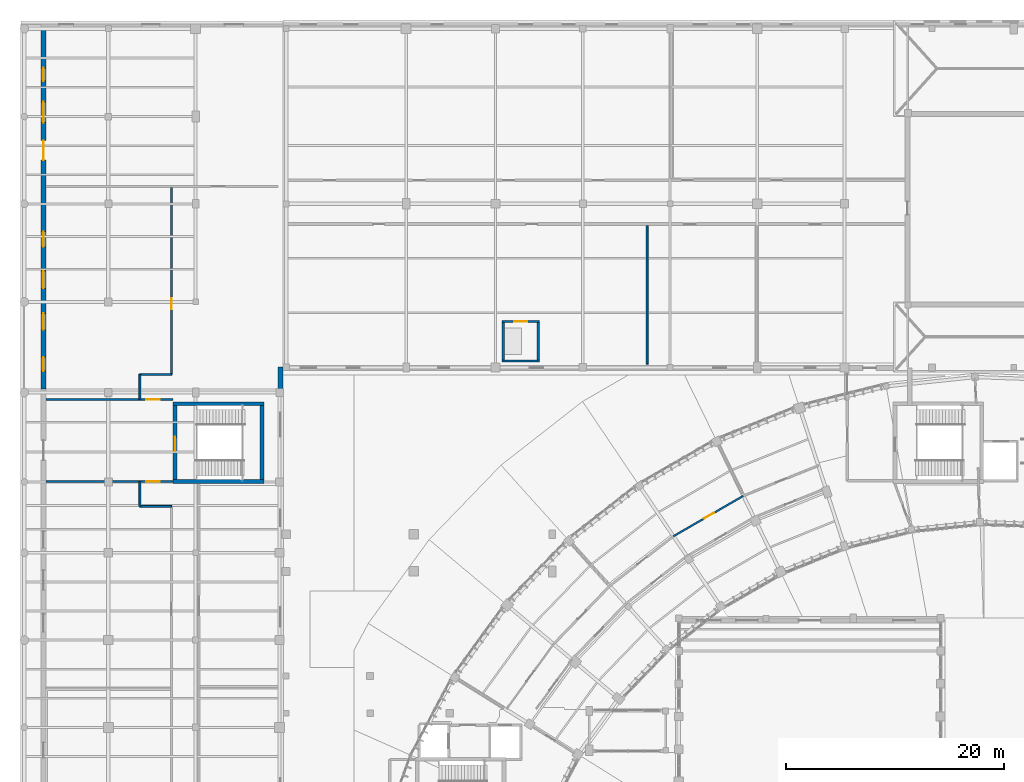
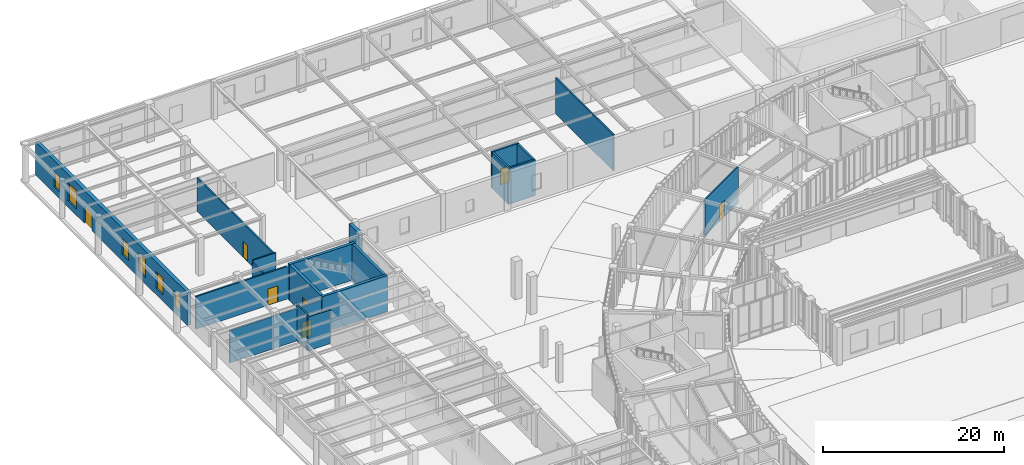
# One storey, part 42 of 68: 19 walls, 7 doors, 6 windows, 13 openings.
"""IFC4 building model written with IfcOpenShell, lengths in metres."""

from ifc_helpers import new_model, si_unit, direction, frame, frame_2d, origin, place, context, subcontext, project, spatial, rectangle, extrude, material, layer, layer_set, type_object, element, fill, save


model = new_model("IFC4")

# Units and contexts
model_context = context("Model", 3, precision=1e-05, world=origin(), true_north=direction((0.0, 1.0)))
body_context = subcontext(model_context, "Body", "Model", "MODEL_VIEW")
ifc_project = project(units=[si_unit("LENGTHUNIT", "METRE"), si_unit("AREAUNIT", "SQUARE_METRE"), si_unit("VOLUMEUNIT", "CUBIC_METRE"), si_unit("PLANEANGLEUNIT", "RADIAN"), si_unit("MASSUNIT", "GRAM", prefix="KILO"), si_unit("THERMODYNAMICTEMPERATUREUNIT", "KELVIN"), si_unit("POWERUNIT", "WATT")], contexts=[model_context])

# Site, building, storey
site_placement = place(None, origin())
site = spatial("IfcSite", under=ifc_project, at=site_placement, CompositionType="ELEMENT")
building_placement = place(site_placement, origin())
building = spatial("IfcBuilding", under=site, at=building_placement, Name="Solvatero Civic Police Headquarters", CompositionType="ELEMENT")
storey_placement = place(building_placement, origin())
storey = spatial("IfcBuildingStorey", under=building, at=storey_placement, Name="L00", CompositionType="ELEMENT", Elevation=0.0)

# Wall, openings, door, windows
ifc_material_1 = material(Name="Grey Sandstone Ashlar", Category="masonry")
ifc_layer_1 = layer(ifc_material_1, 0.449951171875)
ifc_layer_set_1 = layer_set([ifc_layer_1], Name="Grey Sandstone Ashlar")
wall_type_1 = type_object("IfcWallType", Name="WL-EXT-SAND-450", PredefinedType="SOLIDWALL", material=ifc_layer_set_1)
wall_1_placement = place(storey_placement, frame((6.550048828125, 83.5, 0.0), z_axis=(0.0, 0.0, 1.0), x_axis=(0.0, 1.0, 0.0)))
wall_1 = element("IfcWall", 1, at=wall_1_placement, inside=storey, type_object=wall_type_1, Name="Exterior Wall WLE-L00-V7NW-W", PredefinedType="SOLIDWALL", context=body_context, shape_type="SweptSolid", body=[
    extrude(rectangle(XDim=33.449951171875, YDim=0.449951171875, at=frame_2d((16.72509765625, 0.0))), origin(), (0.0, 0.0, 1.0), 4.41796875),
])
opening_1_placement = place(wall_1_placement, frame((21.0, 0.0, 0.0)))
opening_1 = element("IfcOpeningElement", 2, at=opening_1_placement, cuts=wall_1, Name="Opening ED-04", PredefinedType="OPENING", context=body_context, shape_type="SweptSolid", body=[
    extrude(rectangle(XDim=1.800048828125, YDim=2.39990234375, at=frame_2d((0.89990234375, 1.199951171875))), frame((0.0, 0.23486328125, 0.0), z_axis=(0.0, -1.0, 0.0), x_axis=(1.0, 0.0, 0.0)), (0.0, 0.0, 1.0), 0.469970703125),
])
opening_2_placement = place(wall_1_placement, frame((1.64990234375, 0.0, 0.85009765625)))
opening_2 = element("IfcOpeningElement", 3, at=opening_2_placement, cuts=wall_1, Name="Opening W-13", PredefinedType="OPENING", context=body_context, shape_type="SweptSolid", body=[
    extrude(rectangle(XDim=1.300048828125, YDim=2.14990234375, at=frame_2d((0.64990234375, 1.074951171875))), frame((0.0, 0.23486328125, 0.0), z_axis=(0.0, -1.0, 0.0), x_axis=(1.0, 0.0, 0.0)), (0.0, 0.0, 1.0), 0.469970703125),
])
opening_3_placement = place(wall_1_placement, frame((5.449951171875, 0.0, 0.85009765625)))
opening_3 = element("IfcOpeningElement", 4, at=opening_3_placement, cuts=wall_1, Name="Opening W-03", PredefinedType="OPENING", context=body_context, shape_type="SweptSolid", body=[
    extrude(rectangle(XDim=1.5, YDim=2.300048828125, at=frame_2d((0.75, 1.14990234375))), frame((0.0, 0.23486328125, 0.0), z_axis=(0.0, -1.0, 0.0), x_axis=(1.0, 0.0, 0.0)), (0.0, 0.0, 1.0), 0.469970703125),
])
opening_4_placement = place(wall_1_placement, frame((9.25, 0.0, 0.85009765625)))
opening_4 = element("IfcOpeningElement", 5, at=opening_4_placement, cuts=wall_1, Name="Opening W-04", PredefinedType="OPENING", context=body_context, shape_type="SweptSolid", body=[
    extrude(rectangle(XDim=1.60009765625, YDim=2.39990234375, at=frame_2d((0.800048828125, 1.199951171875))), frame((0.0, 0.23486328125, 0.0), z_axis=(0.0, -1.0, 0.0), x_axis=(1.0, 0.0, 0.0)), (0.0, 0.0, 1.0), 0.469970703125),
])
opening_5_placement = place(wall_1_placement, frame((13.050048828125, 0.0, 0.85009765625)))
opening_5 = element("IfcOpeningElement", 6, at=opening_5_placement, cuts=wall_1, Name="Opening W-02", PredefinedType="OPENING", context=body_context, shape_type="SweptSolid", body=[
    extrude(rectangle(XDim=1.39990234375, YDim=2.199951171875, at=frame_2d((0.699951171875, 1.10009765625))), frame((0.0, 0.23486328125, 0.0), z_axis=(0.0, -1.0, 0.0), x_axis=(1.0, 0.0, 0.0)), (0.0, 0.0, 1.0), 0.469970703125),
])
opening_6_placement = place(wall_1_placement, frame((24.449951171875, 0.0, 0.85009765625)))
opening_6 = element("IfcOpeningElement", 7, at=opening_6_placement, cuts=wall_1, Name="Opening W-15", PredefinedType="OPENING", context=body_context, shape_type="SweptSolid", body=[
    extrude(rectangle(XDim=1.89990234375, YDim=2.449951171875, at=frame_2d((0.949951171875, 1.22509765625))), frame((0.0, 0.23486328125, 0.0), z_axis=(0.0, -1.0, 0.0), x_axis=(1.0, 0.0, 0.0)), (0.0, 0.0, 1.0), 0.469970703125),
])
opening_7_placement = place(wall_1_placement, frame((28.25, 0.0, 0.85009765625)))
opening_7 = element("IfcOpeningElement", 8, at=opening_7_placement, cuts=wall_1, Name="Opening W-01", PredefinedType="OPENING", context=body_context, shape_type="SweptSolid", body=[
    extrude(rectangle(XDim=1.199951171875, YDim=2.10009765625, at=frame_2d((0.60009765625, 1.050048828125))), frame((0.0, 0.23486328125, 0.0), z_axis=(0.0, -1.0, 0.0), x_axis=(1.0, 0.0, 0.0)), (0.0, 0.0, 1.0), 0.469970703125),
])
ifc_material_2 = material(Name="Anodized Bronze Aluminium and Laminated Glass", Category="aluminium")
door_type_1 = type_object("IfcDoorType", Name="DR-EXT-180x240", OperationType="DOUBLE_DOOR_SINGLE_SWING", PredefinedType="DOOR", material=ifc_material_2)
door_1_placement = place(opening_1_placement, origin())
door_1 = element("IfcDoor", 9, at=door_1_placement, inside=storey, type_object=door_type_1, Name="Exterior Door DR-L00-V7NW-CYCLE", OperationType="DOUBLE_DOOR_SINGLE_SWING", OverallHeight=2.39990234375, OverallWidth=1.800048828125, PredefinedType="DOOR", context=body_context, shape_type="SweptSolid", body=[
    extrude(rectangle(XDim=1.800048828125, YDim=2.39990234375, at=frame_2d((0.89990234375, 1.199951171875))), frame((0.0, 0.02490234375, 0.0), z_axis=(0.0, -1.0, 0.0), x_axis=(1.0, 0.0, 0.0)), (0.0, 0.0, 1.0), 0.050048828125),
])
fill(opening_1, door_1)
ifc_material_3 = material(Name="Anodized Bronze Aluminium", Category="aluminium")
window_type_1 = type_object("IfcWindowType", Name="WN-CL-120x210", PartitioningType="SINGLE_PANEL", PredefinedType="WINDOW", material=ifc_material_3)
window_1_placement = place(opening_7_placement, origin())
window_1 = element("IfcWindow", 10, at=window_1_placement, inside=storey, type_object=window_type_1, Name="Exterior Window 0148", OverallHeight=2.10009765625, OverallWidth=1.199951171875, PartitioningType="SINGLE_PANEL", PredefinedType="WINDOW", context=body_context, shape_type="SweptSolid", body=[
    extrude(rectangle(XDim=1.199951171875, YDim=2.10009765625, at=frame_2d((0.60009765625, 1.050048828125))), frame((0.0, 0.030029296875, 0.0), z_axis=(0.0, -1.0, 0.0), x_axis=(1.0, 0.0, 0.0)), (0.0, 0.0, 1.0), 0.06005859375),
])
fill(opening_7, window_1)
window_type_2 = type_object("IfcWindowType", Name="WN-CL-130x215", PartitioningType="SINGLE_PANEL", PredefinedType="WINDOW", material=ifc_material_3)
window_2_placement = place(opening_2_placement, origin())
window_2 = element("IfcWindow", 11, at=window_2_placement, inside=storey, type_object=window_type_2, Name="Exterior Window 0143", OverallHeight=2.14990234375, OverallWidth=1.300048828125, PartitioningType="SINGLE_PANEL", PredefinedType="WINDOW", context=body_context, shape_type="SweptSolid", body=[
    extrude(rectangle(XDim=1.300048828125, YDim=2.14990234375, at=frame_2d((0.64990234375, 1.074951171875))), frame((0.0, 0.030029296875, 0.0), z_axis=(0.0, -1.0, 0.0), x_axis=(1.0, 0.0, 0.0)), (0.0, 0.0, 1.0), 0.06005859375),
])
fill(opening_2, window_2)
window_type_3 = type_object("IfcWindowType", Name="WN-CL-140x220", PartitioningType="SINGLE_PANEL", PredefinedType="WINDOW", material=ifc_material_3)
window_3_placement = place(opening_5_placement, origin())
window_3 = element("IfcWindow", 12, at=window_3_placement, inside=storey, type_object=window_type_3, Name="Exterior Window 0146", OverallHeight=2.199951171875, OverallWidth=1.39990234375, PartitioningType="SINGLE_PANEL", PredefinedType="WINDOW", context=body_context, shape_type="SweptSolid", body=[
    extrude(rectangle(XDim=1.39990234375, YDim=2.199951171875, at=frame_2d((0.699951171875, 1.10009765625))), frame((0.0, 0.030029296875, 0.0), z_axis=(0.0, -1.0, 0.0), x_axis=(1.0, 0.0, 0.0)), (0.0, 0.0, 1.0), 0.06005859375),
])
fill(opening_5, window_3)
window_type_4 = type_object("IfcWindowType", Name="WN-CL-150x230", PartitioningType="SINGLE_PANEL", PredefinedType="WINDOW", material=ifc_material_3)
window_4_placement = place(opening_3_placement, origin())
window_4 = element("IfcWindow", 13, at=window_4_placement, inside=storey, type_object=window_type_4, Name="Exterior Window 0144", OverallHeight=2.300048828125, OverallWidth=1.5, PartitioningType="SINGLE_PANEL", PredefinedType="WINDOW", context=body_context, shape_type="SweptSolid", body=[
    extrude(rectangle(XDim=1.5, YDim=2.300048828125, at=frame_2d((0.75, 1.14990234375))), frame((0.0, 0.030029296875, 0.0), z_axis=(0.0, -1.0, 0.0), x_axis=(1.0, 0.0, 0.0)), (0.0, 0.0, 1.0), 0.06005859375),
])
fill(opening_3, window_4)
window_type_5 = type_object("IfcWindowType", Name="WN-CL-160x240", PartitioningType="SINGLE_PANEL", PredefinedType="WINDOW", material=ifc_material_3)
window_5_placement = place(opening_4_placement, origin())
window_5 = element("IfcWindow", 14, at=window_5_placement, inside=storey, type_object=window_type_5, Name="Exterior Window 0145", OverallHeight=2.39990234375, OverallWidth=1.60009765625, PartitioningType="SINGLE_PANEL", PredefinedType="WINDOW", context=body_context, shape_type="SweptSolid", body=[
    extrude(rectangle(XDim=1.60009765625, YDim=2.39990234375, at=frame_2d((0.800048828125, 1.199951171875))), frame((0.0, 0.030029296875, 0.0), z_axis=(0.0, -1.0, 0.0), x_axis=(1.0, 0.0, 0.0)), (0.0, 0.0, 1.0), 0.06005859375),
])
fill(opening_4, window_5)
window_type_6 = type_object("IfcWindowType", Name="WN-CL-190x245", PartitioningType="SINGLE_PANEL", PredefinedType="WINDOW", material=ifc_material_3)
window_6_placement = place(opening_6_placement, origin())
window_6 = element("IfcWindow", 15, at=window_6_placement, inside=storey, type_object=window_type_6, Name="Exterior Window 0147", OverallHeight=2.449951171875, OverallWidth=1.89990234375, PartitioningType="SINGLE_PANEL", PredefinedType="WINDOW", context=body_context, shape_type="SweptSolid", body=[
    extrude(rectangle(XDim=1.89990234375, YDim=2.449951171875, at=frame_2d((0.949951171875, 1.22509765625))), frame((0.0, 0.030029296875, 0.0), z_axis=(0.0, -1.0, 0.0), x_axis=(1.0, 0.0, 0.0)), (0.0, 0.0, 1.0), 0.06005859375),
])
fill(opening_6, window_6)

# Wall
wall_2_placement = place(storey_placement, frame((28.280029296875, 83.39990234375, 0.0), z_axis=(0.0, 0.0, 1.0), x_axis=(0.0, 1.0, 0.0)))
element("IfcWall", 16, at=wall_2_placement, inside=storey, type_object=wall_type_1, Name="Exterior Wall WLE-L00-V7NW-SE", PredefinedType="SOLIDWALL", context=body_context, shape_type="SweptSolid", body=[
    extrude(rectangle(XDim=2.150146484375, YDim=0.449951171875, at=frame_2d((1.0751953125, 0.0))), origin(), (0.0, 0.0, 1.0), 4.8798828125),
])

# Wall, opening, door
ifc_material_4 = material(Name="Concrete Blockwork", Category="masonry")
ifc_layer_2 = layer(ifc_material_4, 0.1650390625)
ifc_layer_set_2 = layer_set([ifc_layer_2], Name="Concrete Blockwork")
wall_type_2 = type_object("IfcWallType", Name="WL-PTN-165", PredefinedType="PARTITIONING", material=ifc_layer_set_2)
wall_3_placement = place(storey_placement, frame((70.722412109375, 73.72607421875, 0.0), z_axis=(0.0, 0.0, 1.0), x_axis=(-0.866019843608, -0.500009630384, 0.0)))
wall_3 = element("IfcWall", 17, at=wall_3_placement, inside=storey, type_object=wall_type_2, Name="Interior Partition WLP-L00-ARC-COUT-B05", PredefinedType="PARTITIONING", context=body_context, shape_type="SweptSolid", body=[
    extrude(rectangle(XDim=7.407958984375, YDim=0.1650390625, at=frame_2d((3.7041015625, 0.0))), origin(), (0.0, 0.0, 1.0), 4.860107421875),
])
opening_8_placement = place(wall_3_placement, frame((3.111083984375, 0.0, 0.0)))
opening_8 = element("IfcOpeningElement", 18, at=opening_8_placement, cuts=wall_3, Name="Opening ID-07", PredefinedType="OPENING", context=body_context, shape_type="SweptSolid", body=[
    extrude(rectangle(XDim=1.050048828125, YDim=2.199951171875, at=frame_2d((0.52490234375, 1.10009765625))), frame((0.0, 0.092529296875, 0.0), z_axis=(0.0, -1.0, 0.0), x_axis=(1.0, 0.0, 0.0)), (0.0, 0.0, 1.0), 0.18505859375),
])
ifc_material_5 = material(Name="Powder-Coated Steel", Category="steel")
door_type_2 = type_object("IfcDoorType", Name="DR-LAB-105x220", OperationType="NOTDEFINED", PredefinedType="DOOR", material=ifc_material_5)
door_2_placement = place(opening_8_placement, origin())
door_2 = element("IfcDoor", 19, at=door_2_placement, inside=storey, type_object=door_type_2, Name="Interior Door DR-L00-ARC-OUT-B05", OperationType="SINGLE_SWING_RIGHT", OverallHeight=2.199951171875, OverallWidth=1.050048828125, PredefinedType="DOOR", context=body_context, shape_type="SweptSolid", body=[
    extrude(rectangle(XDim=1.050048828125, YDim=2.199951171875, at=frame_2d((0.52490234375, 1.10009765625))), frame((0.0, 0.02490234375, 0.0), z_axis=(0.0, -1.0, 0.0), x_axis=(1.0, 0.0, 0.0)), (0.0, 0.0, 1.0), 0.050048828125),
])
fill(opening_8, door_2)

# Walls
ifc_layer_3 = layer(ifc_material_4, 0.179931640625)
ifc_layer_set_3 = layer_set([ifc_layer_3], Name="Concrete Blockwork")
wall_type_3 = type_object("IfcWallType", Name="WL-PTN-180", PredefinedType="PARTITIONING", material=ifc_layer_set_3)
wall_4_placement = place(storey_placement, frame((15.39990234375, 72.75, 0.0), z_axis=(0.0, 0.0, 1.0), x_axis=(1.0, 0.0, 0.0)))
element("IfcWall", 20, at=wall_4_placement, inside=storey, type_object=wall_type_3, Name="Interior Partition WLP-L00-C4LOB-S", PredefinedType="PARTITIONING", context=body_context, shape_type="SweptSolid", body=[
    extrude(rectangle(XDim=2.900146484375, YDim=0.179931640625, at=frame_2d((1.4501953125, 0.0))), origin(), (0.0, 0.0, 1.0), 4.5400390625),
])
wall_5_placement = place(storey_placement, frame((15.39990234375, 72.75, 0.0), z_axis=(0.0, 0.0, 1.0), x_axis=(0.0, 1.0, 0.0)))
element("IfcWall", 21, at=wall_5_placement, inside=storey, type_object=wall_type_3, Name="Interior Partition WLP-L00-C4LOB-W1", PredefinedType="PARTITIONING", context=body_context, shape_type="SweptSolid", body=[
    extrude(rectangle(XDim=2.300048828125, YDim=0.179931640625, at=frame_2d((1.14990234375, 0.0))), origin(), (0.0, 0.0, 1.0), 4.860107421875),
])
wall_6_placement = place(storey_placement, frame((15.39990234375, 84.85009765625, 0.0), z_axis=(0.0, 0.0, 1.0), x_axis=(1.0, 0.0, 0.0)))
element("IfcWall", 22, at=wall_6_placement, inside=storey, type_object=wall_type_3, Name="Interior Partition WLP-L00-C4LOB-N", PredefinedType="PARTITIONING", context=body_context, shape_type="SweptSolid", body=[
    extrude(rectangle(XDim=2.900146484375, YDim=0.179931640625, at=frame_2d((1.4501953125, 0.0))), origin(), (0.0, 0.0, 1.0), 4.860107421875),
])
wall_7_placement = place(storey_placement, frame((15.39990234375, 82.550048828125, 0.0), z_axis=(0.0, 0.0, 1.0), x_axis=(0.0, 1.0, 0.0)))
element("IfcWall", 23, at=wall_7_placement, inside=storey, type_object=wall_type_3, Name="Interior Partition WLP-L00-C4LOB-W2", PredefinedType="PARTITIONING", context=body_context, shape_type="SweptSolid", body=[
    extrude(rectangle(XDim=2.300048828125, YDim=0.179931640625, at=frame_2d((1.14990234375, 0.0))), origin(), (0.0, 0.0, 1.0), 4.51806640625),
])

# Wall, opening, door
wall_8_placement = place(storey_placement, frame((18.300048828125, 84.85009765625, 0.0), z_axis=(0.0, 0.0, 1.0), x_axis=(0.0, 1.0, 0.0)))
wall_8 = element("IfcWall", 24, at=wall_8_placement, inside=storey, type_object=wall_type_3, Name="Interior Partition WLP-L00-V7NW-CW", PredefinedType="PARTITIONING", context=body_context, shape_type="SweptSolid", body=[
    extrude(rectangle(XDim=17.14990234375, YDim=0.179931640625, at=frame_2d((8.574951171875, 0.0))), origin(), (0.0, 0.0, 1.0), 4.55810546875),
])
opening_9_placement = place(wall_8_placement, frame((6.0, 0.0, 0.0)))
opening_9 = element("IfcOpeningElement", 25, at=opening_9_placement, cuts=wall_8, Name="Opening ID-05", PredefinedType="OPENING", context=body_context, shape_type="SweptSolid", body=[
    extrude(rectangle(XDim=0.97998046875, YDim=2.159912109375, at=frame_2d((0.489990234375, 1.080078125))), frame((0.0, 0.099853515625, 0.0), z_axis=(0.0, -1.0, 0.0), x_axis=(1.0, 0.0, 0.0)), (0.0, 0.0, 1.0), 0.199951171875),
])
door_type_3 = type_object("IfcDoorType", Name="DR-OFF-098x216", OperationType="NOTDEFINED", PredefinedType="DOOR", material=ifc_material_5)
door_3_placement = place(opening_9_placement, origin())
door_3 = element("IfcDoor", 26, at=door_3_placement, inside=storey, type_object=door_type_3, Name="Interior Door DR-L00-FDISP", OperationType="SINGLE_SWING_LEFT", OverallHeight=2.159912109375, OverallWidth=0.97998046875, PredefinedType="DOOR", context=body_context, shape_type="SweptSolid", body=[
    extrude(rectangle(XDim=0.97998046875, YDim=2.159912109375, at=frame_2d((0.489990234375, 1.080078125))), frame((0.0, 0.02490234375, 0.0), z_axis=(0.0, -1.0, 0.0), x_axis=(1.0, 0.0, 0.0)), (0.0, 0.0, 1.0), 0.050048828125),
])
fill(opening_9, door_3)

# Wall
wall_9_placement = place(storey_placement, frame((61.89990234375, 85.800048828125, 0.0), z_axis=(0.0, 0.0, 1.0), x_axis=(0.0, 1.0, 0.0)))
element("IfcWall", 27, at=wall_9_placement, inside=storey, type_object=wall_type_3, Name="Interior Partition WLP-L00-CUST-M1", PredefinedType="PARTITIONING", context=body_context, shape_type="SweptSolid", body=[
    extrude(rectangle(XDim=12.699951171875, YDim=0.179931640625, at=frame_2d((6.35009765625, 0.0))), origin(), (0.0, 0.0, 1.0), 4.860107421875),
])

# Wall, opening, door
ifc_layer_4 = layer(ifc_material_4, 0.199951171875)
ifc_layer_set_4 = layer_set([ifc_layer_4], Name="Concrete Blockwork")
wall_type_4 = type_object("IfcWallType", Name="WL-PTN-200", PredefinedType="PARTITIONING", material=ifc_layer_set_4)
wall_10_placement = place(storey_placement, frame((6.780029296875, 75.050048828125, 0.0), z_axis=(0.0, 0.0, 1.0), x_axis=(1.0, 0.0, 0.0)))
wall_10 = element("IfcWall", 28, at=wall_10_placement, inside=storey, type_object=wall_type_4, Name="Interior Partition WLP-L00-EXIT-C4-S", PredefinedType="PARTITIONING", context=body_context, shape_type="SweptSolid", body=[
    extrude(rectangle(XDim=11.639892578125, YDim=0.199951171875, at=frame_2d((5.81982421875, 0.0))), origin(), (0.0, 0.0, 1.0), 4.3701171875),
])
opening_10_placement = place(wall_10_placement, frame((9.199951171875, 0.0, 0.0)))
opening_10 = element("IfcOpeningElement", 29, at=opening_10_placement, cuts=wall_10, Name="Opening FD-01", PredefinedType="OPENING", context=body_context, shape_type="SweptSolid", body=[
    extrude(rectangle(XDim=1.25, YDim=2.199951171875, at=frame_2d((0.625, 1.10009765625))), frame((0.0, 0.10986328125, 0.0), z_axis=(0.0, -1.0, 0.0), x_axis=(1.0, 0.0, 0.0)), (0.0, 0.0, 1.0), 0.219970703125),
])
door_type_4 = type_object("IfcDoorType", Name="DR-STR-125x220", OperationType="NOTDEFINED", PredefinedType="DOOR", material=ifc_material_5)
door_4_placement = place(opening_10_placement, origin())
door_4 = element("IfcDoor", 30, at=door_4_placement, inside=storey, type_object=door_type_4, Name="Interior Door DR-L00-C4PASS-S", OperationType="SINGLE_SWING_LEFT", OverallHeight=2.199951171875, OverallWidth=1.25, PredefinedType="DOOR", context=body_context, shape_type="SweptSolid", body=[
    extrude(rectangle(XDim=1.25, YDim=2.199951171875, at=frame_2d((0.625, 1.10009765625))), frame((0.0, 0.02490234375, 0.0), z_axis=(0.0, -1.0, 0.0), x_axis=(1.0, 0.0, 0.0)), (0.0, 0.0, 1.0), 0.050048828125),
])
fill(opening_10, door_4)

wall_11_placement = place(storey_placement, frame((6.780029296875, 82.550048828125, 0.0), z_axis=(0.0, 0.0, 1.0), x_axis=(1.0, 0.0, 0.0)))
wall_11 = element("IfcWall", 31, at=wall_11_placement, inside=storey, type_object=wall_type_4, Name="Interior Partition WLP-L00-EXIT-C4-N", PredefinedType="PARTITIONING", context=body_context, shape_type="SweptSolid", body=[
    extrude(rectangle(XDim=11.639892578125, YDim=0.199951171875, at=frame_2d((5.81982421875, 0.0))), origin(), (0.0, 0.0, 1.0), 4.3779296875),
])
opening_11_placement = place(wall_11_placement, frame((9.199951171875, 0.0, 0.0)))
opening_11 = element("IfcOpeningElement", 32, at=opening_11_placement, cuts=wall_11, Name="Opening FD-01", PredefinedType="OPENING", context=body_context, shape_type="SweptSolid", body=[
    extrude(rectangle(XDim=1.25, YDim=2.199951171875, at=frame_2d((0.625, 1.10009765625))), frame((0.0, 0.10986328125, 0.0), z_axis=(0.0, -1.0, 0.0), x_axis=(1.0, 0.0, 0.0)), (0.0, 0.0, 1.0), 0.219970703125),
])
door_5_placement = place(opening_11_placement, origin())
door_5 = element("IfcDoor", 33, at=door_5_placement, inside=storey, type_object=door_type_4, Name="Interior Door DR-L00-C4PASS-N", OperationType="SINGLE_SWING_RIGHT", OverallHeight=2.199951171875, OverallWidth=1.25, PredefinedType="DOOR", context=body_context, shape_type="SweptSolid", body=[
    extrude(rectangle(XDim=1.25, YDim=2.199951171875, at=frame_2d((0.625, 1.10009765625))), frame((0.0, 0.02490234375, 0.0), z_axis=(0.0, -1.0, 0.0), x_axis=(1.0, 0.0, 0.0)), (0.0, 0.0, 1.0), 0.050048828125),
])
fill(opening_11, door_5)

# Wall
ifc_material_6 = material(Name="Concrete C35/45", Category="concrete")
ifc_layer_5 = layer(ifc_material_6, 0.219970703125)
ifc_layer_set_5 = layer_set([ifc_layer_5], Name="Concrete C35/45")
wall_type_5 = type_object("IfcWallType", Name="WL-SHF-220", PredefinedType="PARTITIONING", material=ifc_layer_set_5)
wall_12_placement = place(storey_placement, frame((48.580078125, 86.090087890625, 0.0), z_axis=(0.0, 0.0, 1.0), x_axis=(1.0, 0.0, 0.0)))
element("IfcWall", 34, at=wall_12_placement, inside=storey, type_object=wall_type_5, Name="Lift Shaft Wall WLS-LC-01-L00-S", PredefinedType="PARTITIONING", context=body_context, shape_type="SweptSolid", body=[
    extrude(rectangle(XDim=3.43994140625, YDim=0.219970703125, at=frame_2d((1.719970703125, 0.0))), origin(), (0.0, 0.0, 1.0), 4.860107421875),
])

# Wall, opening, door
wall_13_placement = place(storey_placement, frame((48.580078125, 89.7099609375, 0.0), z_axis=(0.0, 0.0, 1.0), x_axis=(1.0, 0.0, 0.0)))
wall_13 = element("IfcWall", 35, at=wall_13_placement, inside=storey, type_object=wall_type_5, Name="Lift Shaft Wall WLS-LC-01-L00-N", PredefinedType="PARTITIONING", context=body_context, shape_type="SweptSolid", body=[
    extrude(rectangle(XDim=3.43994140625, YDim=0.219970703125, at=frame_2d((1.719970703125, 0.0))), origin(), (0.0, 0.0, 1.0), 4.860107421875),
])
opening_12_placement = place(wall_13_placement, frame((1.1201171875, 0.0, 0.0)))
opening_12 = element("IfcOpeningElement", 36, at=opening_12_placement, cuts=wall_13, Name="Opening LD-03", PredefinedType="OPENING", context=body_context, shape_type="SweptSolid", body=[
    extrude(rectangle(XDim=1.199951171875, YDim=2.179931640625, at=frame_2d((0.60009765625, 1.08984375))), frame((0.0, 0.119873046875, 0.0), z_axis=(0.0, -1.0, 0.0), x_axis=(1.0, 0.0, 0.0)), (0.0, 0.0, 1.0), 0.239990234375),
])
ifc_material_7 = material(Name="Stainless Steel Grade 316", Category="steel")
door_type_5 = type_object("IfcDoorType", Name="DR-LFT-120x218", OperationType="DOUBLE_DOOR_SLIDING", PredefinedType="DOOR", material=ifc_material_7)
door_6_placement = place(opening_12_placement, origin())
door_6 = element("IfcDoor", 37, at=door_6_placement, inside=storey, type_object=door_type_5, Name="Interior Door DR-LFT-LC-01-L00", OperationType="DOUBLE_DOOR_SLIDING", OverallHeight=2.179931640625, OverallWidth=1.199951171875, PredefinedType="DOOR", context=body_context, shape_type="SweptSolid", body=[
    extrude(rectangle(XDim=1.199951171875, YDim=2.179931640625, at=frame_2d((0.60009765625, 1.08984375))), frame((0.0, 0.02490234375, 0.0), z_axis=(0.0, -1.0, 0.0), x_axis=(1.0, 0.0, 0.0)), (0.0, 0.0, 1.0), 0.050048828125),
])
fill(opening_12, door_6)

# Walls
for number, where, z_axis, x_axis, name in (
    (38, (48.68994140625, 86.199951171875, 0.0), (0.0, 0.0, 1.0), (0.0, 1.0, 0.0), "Lift Shaft Wall WLS-LC-01-L00-W"),
    (39, (51.909912109375, 86.199951171875, 0.0), (0.0, 0.0, 1.0), (0.0, 1.0, 0.0), "Lift Shaft Wall WLS-LC-01-L00-E"),
):
    element("IfcWall", number, at=place(storey_placement, frame(where, z_axis=z_axis, x_axis=x_axis)), inside=storey, type_object=wall_type_5, Name=name, PredefinedType="PARTITIONING", context=body_context, shape_type="SweptSolid", body=[
        extrude(rectangle(XDim=3.400146484375, YDim=0.219970703125, at=frame_2d((1.7001953125, 0.0))), origin(), (0.0, 0.0, 1.0), 4.860107421875),
    ])
ifc_material_8 = material(Name="Concrete C40/50", Category="concrete")
ifc_layer_6 = layer(ifc_material_8, 0.35009765625)
ifc_layer_set_6 = layer_set([ifc_layer_6], Name="Concrete C40/50")
wall_type_6 = type_object("IfcWallType", Name="WL-SHR-350", PredefinedType="SHEAR", material=ifc_layer_set_6)
for number, where, z_axis, x_axis, name in (
    (40, (18.449951171875, 75.02490234375, 0.0), (0.0, 0.0, 1.0), (1.0, 0.0, 0.0), "Core C4 Shear Wall S L00"),
    (41, (18.449951171875, 82.175048828125, 0.0), (0.0, 0.0, 1.0), (1.0, 0.0, 0.0), "Core C4 Shear Wall N L00"),
):
    element("IfcWall", number, at=place(storey_placement, frame(where, z_axis=z_axis, x_axis=x_axis)), inside=storey, type_object=wall_type_6, Name=name, PredefinedType="SHEAR", context=body_context, shape_type="SweptSolid", body=[
        extrude(rectangle(XDim=8.300048828125, YDim=0.35009765625, at=frame_2d((4.14990234375, 0.0))), origin(), (0.0, 0.0, 1.0), 4.8798828125),
    ])

# Wall, opening, door
wall_14_placement = place(storey_placement, frame((18.625, 75.199951171875, 0.0), z_axis=(0.0, 0.0, 1.0), x_axis=(0.0, 1.0, 0.0)))
wall_14 = element("IfcWall", 42, at=wall_14_placement, inside=storey, type_object=wall_type_6, Name="Core C4 Shear Wall W L00", PredefinedType="SHEAR", context=body_context, shape_type="SweptSolid", body=[
    extrude(rectangle(XDim=6.800048828125, YDim=0.35009765625, at=frame_2d((3.39990234375, 0.0))), origin(), (0.0, 0.0, 1.0), 4.8798828125),
])
opening_13_placement = place(wall_14_placement, frame((2.60009765625, 0.0, 0.0)))
opening_13 = element("IfcOpeningElement", 43, at=opening_13_placement, cuts=wall_14, Name="Opening FD-03", PredefinedType="OPENING", context=body_context, shape_type="SweptSolid", body=[
    extrude(rectangle(XDim=1.320068359375, YDim=2.239990234375, at=frame_2d((0.66015625, 1.1201171875))), frame((0.0, 0.18505859375, 0.0), z_axis=(0.0, -1.0, 0.0), x_axis=(1.0, 0.0, 0.0)), (0.0, 0.0, 1.0), 0.3701171875),
])
door_type_6 = type_object("IfcDoorType", Name="DR-STR-132x224", OperationType="NOTDEFINED", PredefinedType="DOOR", material=ifc_material_5)
door_7_placement = place(opening_13_placement, origin())
door_7 = element("IfcDoor", 44, at=door_7_placement, inside=storey, type_object=door_type_6, Name="Interior Door DR-STR-C4-L00", OperationType="SINGLE_SWING_RIGHT", OverallHeight=2.239990234375, OverallWidth=1.320068359375, PredefinedType="DOOR", context=body_context, shape_type="SweptSolid", body=[
    extrude(rectangle(XDim=1.320068359375, YDim=2.239990234375, at=frame_2d((0.66015625, 1.1201171875))), frame((0.0, 0.02490234375, 0.0), z_axis=(0.0, -1.0, 0.0), x_axis=(1.0, 0.0, 0.0)), (0.0, 0.0, 1.0), 0.050048828125),
])
fill(opening_13, door_7)

# Wall
wall_15_placement = place(storey_placement, frame((26.574951171875, 75.199951171875, 0.0), z_axis=(0.0, 0.0, 1.0), x_axis=(0.0, 1.0, 0.0)))
element("IfcWall", 45, at=wall_15_placement, inside=storey, type_object=wall_type_6, Name="Core C4 Shear Wall E L00", PredefinedType="SHEAR", context=body_context, shape_type="SweptSolid", body=[
    extrude(rectangle(XDim=6.800048828125, YDim=0.35009765625, at=frame_2d((3.39990234375, 0.0))), origin(), (0.0, 0.0, 1.0), 4.8798828125),
])

save(model, "model.ifc")
